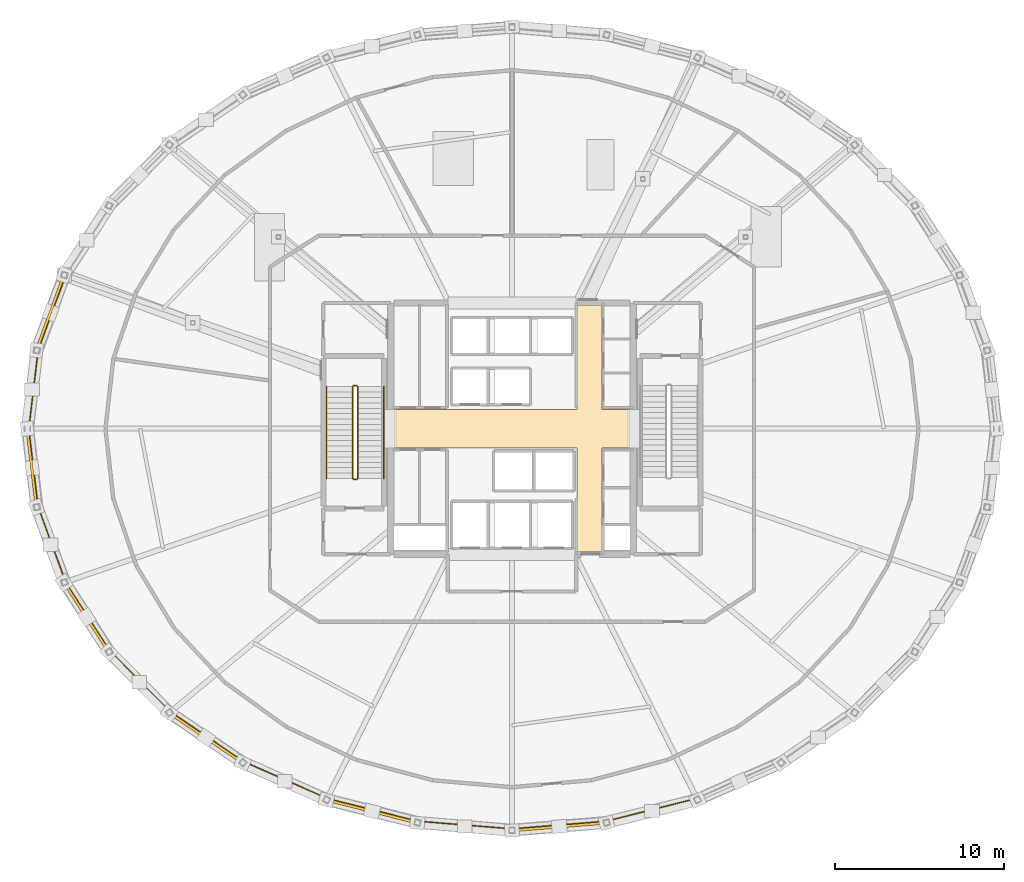
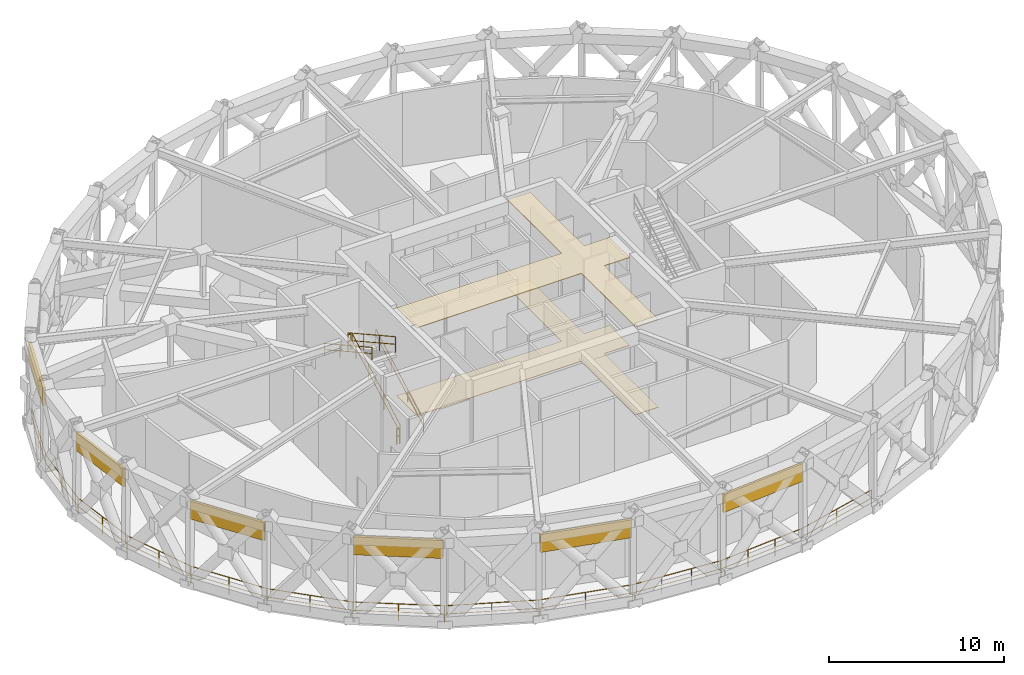
# One storey, part 12 of 15: 12 railings, 6 shading devices, 2 coverings.
"""IFC4 building model written with IfcOpenShell, lengths in metres."""

from ifc_helpers import new_model, si_unit, direction, frame, origin, origin_2d, place, context, subcontext, project, spatial, polyline, rectangle, circle, outline, extrude, material, layer, layer_set, type_object, element, save


model = new_model("IFC4")

# Units and contexts
model_context = context("Model", 3, precision=1e-05, world=origin(), true_north=direction((0.0, 1.0)))
body_context = subcontext(model_context, "Body", "Model", "MODEL_VIEW")
ifc_project = project(units=[si_unit("LENGTHUNIT", "METRE"), si_unit("AREAUNIT", "SQUARE_METRE"), si_unit("VOLUMEUNIT", "CUBIC_METRE"), si_unit("PLANEANGLEUNIT", "RADIAN"), si_unit("MASSUNIT", "GRAM", prefix="KILO")], contexts=[model_context])

# Site, building, storey
site_placement = place(None, origin())
site = spatial("IfcSite", under=ifc_project, at=site_placement, CompositionType="ELEMENT")
building_placement = place(site_placement, origin())
building = spatial("IfcBuilding", under=site, at=building_placement, Name="Veldorina Hangang Commons", CompositionType="ELEMENT")
storey_placement = place(building_placement, frame((0.0, 0.0, 110.800048828125)))
storey = spatial("IfcBuildingStorey", under=building, at=storey_placement, Name="L28", CompositionType="ELEMENT", Elevation=110.800048828125)

# Coverings
ifc_material_1 = material(Name="Mineral Fibre Acoustic Tile", Category="gypsum")
ifc_layer_1 = layer(ifc_material_1, 0.0400390625)
ifc_layer_set_1 = layer_set([ifc_layer_1], Name="Mineral Fibre Acoustic Tile")
covering_type_1 = type_object("IfcCoveringType", Name="COV-CEIL-AC60", PredefinedType="CEILING", material=ifc_layer_set_1)
covering_1_placement = place(storey_placement, frame((0.0, 0.0, 6.10986328125)))
element("IfcCovering", 1, at=covering_1_placement, inside=storey, type_object=covering_type_1, Name="L28 lobby suspended acoustic ceiling", PredefinedType="CEILING", context=body_context, shape_type="SweptSolid", body=[
    extrude(outline(polyline([(25.0, 22.85009765625), (35.85009765625, 22.85009765625), (35.85009765625, 16.699951171875), (37.35009765625, 16.699951171875), (37.35009765625, 22.85009765625), (39.0, 22.85009765625), (39.0, 25.14990234375), (37.35009765625, 25.14990234375), (37.35009765625, 31.300048828125), (35.85009765625, 31.300048828125), (35.85009765625, 25.14990234375), (25.0, 25.14990234375), (25.0, 22.85009765625)])), origin(), (0.0, 0.0, 1.0), 0.0400390625),
])
ifc_material_2 = material(Name="Stone Venetian Terrazzo", Category="masonry")
ifc_layer_2 = layer(ifc_material_2, 0.030029296875)
ifc_layer_set_2 = layer_set([ifc_layer_2], Name="Stone Venetian Terrazzo")
covering_type_2 = type_object("IfcCoveringType", Name="COV-FLR-TERZ", PredefinedType="FLOORING", material=ifc_layer_set_2)
covering_2_placement = place(storey_placement, origin())
element("IfcCovering", 2, at=covering_2_placement, inside=storey, type_object=covering_type_2, Name="L28 lobby terrazzo floor finish", PredefinedType="FLOORING", context=body_context, shape_type="SweptSolid", body=[
    extrude(outline(polyline([(25.0, 22.85009765625), (35.85009765625, 22.85009765625), (35.85009765625, 16.699951171875), (37.35009765625, 16.699951171875), (37.35009765625, 22.85009765625), (39.0, 22.85009765625), (39.0, 25.14990234375), (37.35009765625, 25.14990234375), (37.35009765625, 31.300048828125), (35.85009765625, 31.300048828125), (35.85009765625, 25.14990234375), (25.0, 25.14990234375), (25.0, 22.85009765625)])), origin(), (0.0, 0.0, 1.0), 0.030029296875),
])

# Shading devices
ifc_material_3 = material(Name="Bronze Perforated Anodized", Category="metal")
ifc_layer_3 = layer(ifc_material_3, 0.159912109375)
ifc_layer_set_3 = layer_set([ifc_layer_3], Name="Bronze Perforated Anodized")
shading_device_type = type_object("IfcShadingDeviceType", Name="LVR-WND-4800", PredefinedType="JALOUSIE", material=ifc_layer_set_3)
shading_device_1_placement = place(storey_placement, frame((4.625, 30.8818359375, 4.5849609375), z_axis=(0.0, 0.0, 1.0), x_axis=(-0.343758034421, -0.939058258987, 0.0)))
element("IfcShadingDevice", 3, at=shading_device_1_placement, inside=storey, type_object=shading_device_type, Name="L28 open wind-floor high storm louvre 14", PredefinedType="JALOUSIE", context=body_context, shape_type="SweptSolid", body=[
    extrude(rectangle(XDim=4.638671875, YDim=0.159912109375, at=origin_2d()), origin(), (0.0, 0.0, 1.0), 1.25),
])
shading_device_2_placement = place(storey_placement, frame((3.531005859375, 21.67626953125, 4.5849609375), z_axis=(0.0, 0.0, 1.0), x_axis=(0.118005356875, -0.9930129585, 0.0)))
element("IfcShadingDevice", 4, at=shading_device_2_placement, inside=storey, type_object=shading_device_type, Name="L28 open wind-floor high storm louvre 16", PredefinedType="JALOUSIE", context=body_context, shape_type="SweptSolid", body=[
    extrude(rectangle(XDim=4.56005859375, YDim=0.159912109375, at=origin_2d()), origin(), (0.0, 0.0, 1.0), 1.25),
])
shading_device_3_placement = place(storey_placement, frame((6.77099609375, 12.82470703125, 4.5849609375), z_axis=(0.0, 0.0, 1.0), x_axis=(0.542016257641, -0.840368000612, 0.0)))
element("IfcShadingDevice", 5, at=shading_device_3_placement, inside=storey, type_object=shading_device_type, Name="L28 open wind-floor high storm louvre 18", PredefinedType="JALOUSIE", context=body_context, shape_type="SweptSolid", body=[
    extrude(rectangle(XDim=4.78076171875, YDim=0.159912109375, at=origin_2d()), origin(), (0.0, 0.0, 1.0), 1.25),
])
shading_device_4_placement = place(storey_placement, frame((13.85205078125, 5.67431640625, 4.5849609375), z_axis=(0.0, 0.0, 1.0), x_axis=(0.826884319778, -0.562372049186, 0.0)))
element("IfcShadingDevice", 6, at=shading_device_4_placement, inside=storey, type_object=shading_device_type, Name="L28 open wind-floor high storm louvre 20", PredefinedType="JALOUSIE", context=body_context, shape_type="SweptSolid", body=[
    extrude(rectangle(XDim=5.14794921875, YDim=0.159912109375, at=origin_2d()), origin(), (0.0, 0.0, 1.0), 1.25),
])
shading_device_5_placement = place(storey_placement, frame((23.69580078125, 1.31396484375, 4.5849609375), z_axis=(0.0, 0.0, 1.0), x_axis=(0.969825226686, -0.243801209355, 0.0)))
element("IfcShadingDevice", 7, at=shading_device_5_placement, inside=storey, type_object=shading_device_type, Name="L28 open wind-floor high storm louvre 22", PredefinedType="JALOUSIE", context=body_context, shape_type="SweptSolid", body=[
    extrude(rectangle(XDim=5.440185546875, YDim=0.159912109375, at=origin_2d()), origin(), (0.0, 0.0, 1.0), 1.25),
])
shading_device_6_placement = place(storey_placement, frame((34.803955078125, 0.4072265625, 4.5849609375), z_axis=(0.0, 0.0, 1.0), x_axis=(0.996685834628, 0.081347077707, 0.0)))
element("IfcShadingDevice", 8, at=shading_device_6_placement, inside=storey, type_object=shading_device_type, Name="L28 open wind-floor high storm louvre 24", PredefinedType="JALOUSIE", context=body_context, shape_type="SweptSolid", body=[
    extrude(rectangle(XDim=5.506591796875, YDim=0.159912109375, at=origin_2d()), origin(), (0.0, 0.0, 1.0), 1.25),
])

# Railings
ifc_material_4 = material(Name="Steel Painted Balustrade", Category="steel")
railing_type_1 = type_object("IfcRailingType", Name="RL-GRD-STAIR", PredefinedType="GUARDRAIL", material=ifc_material_4)
railing_1_placement = place(storey_placement, frame((22.85009765625, 21.050048828125, 0.177734375)))
element("IfcRailing", 9, at=railing_1_placement, inside=storey, type_object=railing_type_1, Name="L28 ST-1 stair guard 1", PredefinedType="GUARDRAIL", context=body_context, shape_type="SweptSolid", body=[
    extrude(circle(Radius=0.02392578125, at=origin_2d()), frame((0.0, 0.0, 1.076171875), z_axis=(0.0, 0.874155425575, 0.485646262148), x_axis=(-1.0, 0.0, 0.0)), (0.0, 0.0, 1.0), 6.22314453125),
    extrude(circle(Radius=0.02392578125, at=origin_2d()), frame((0.0, 0.0, 0.550048828125), z_axis=(0.0, 0.874155425575, 0.485646262148), x_axis=(-1.0, 0.0, 0.0)), (0.0, 0.0, 1.0), 6.22314453125),
    extrude(circle(Radius=0.02099609375, at=origin_2d()), origin(), (0.0, 0.0, 1.0), 1.052001953125),
    extrude(circle(Radius=0.02099609375, at=origin_2d()), frame((0.0, 1.813232421875, 1.00732421875)), (0.0, 0.0, 1.0), 1.052001953125),
    extrude(circle(Radius=0.02099609375, at=origin_2d()), frame((0.0, 3.626708984375, 2.014892578125)), (0.0, 0.0, 1.0), 1.052001953125),
    extrude(circle(Radius=0.02099609375, at=origin_2d()), frame((0.0, 5.43994140625, 3.022216796875)), (0.0, 0.0, 1.0), 1.052001953125),
])
railing_2_placement = place(storey_placement, frame((22.800048828125, 26.5400390625, 3.199951171875)))
element("IfcRailing", 10, at=railing_2_placement, inside=storey, type_object=railing_type_1, Name="L28 ST-1 stair guard 2", PredefinedType="GUARDRAIL", context=body_context, shape_type="SweptSolid", body=[
    extrude(circle(Radius=0.02392578125, at=origin_2d()), frame((0.0, 0.0, 1.076171875), z_axis=(-1.0, 0.0, 0.0), x_axis=(0.0, -1.0, 0.0)), (0.0, 0.0, 1.0), 0.199951171875),
    extrude(circle(Radius=0.02392578125, at=origin_2d()), frame((0.0, 0.0, 0.550048828125), z_axis=(-1.0, 0.0, 0.0), x_axis=(0.0, -1.0, 0.0)), (0.0, 0.0, 1.0), 0.199951171875),
    extrude(circle(Radius=0.02099609375, at=origin_2d()), origin(), (0.0, 0.0, 1.0), 1.052001953125),
    extrude(circle(Radius=0.02099609375, at=origin_2d()), frame((-0.199951171875, 0.0, 0.0)), (0.0, 0.0, 1.0), 1.052001953125),
])
railing_3_placement = place(storey_placement, frame((22.550048828125, 26.489990234375, 3.377685546875)))
element("IfcRailing", 11, at=railing_3_placement, inside=storey, type_object=railing_type_1, Name="L28 ST-1 stair guard 3", PredefinedType="GUARDRAIL", context=body_context, shape_type="SweptSolid", body=[
    extrude(circle(Radius=0.02392578125, at=origin_2d()), frame((0.0, 0.0, 1.076171875), z_axis=(0.0, -0.874155425575, 0.485646262148), x_axis=(1.0, 0.0, 0.0)), (0.0, 0.0, 1.0), 6.22314453125),
    extrude(circle(Radius=0.02392578125, at=origin_2d()), frame((0.0, 0.0, 0.550048828125), z_axis=(0.0, -0.874155425575, 0.485646262148), x_axis=(1.0, 0.0, 0.0)), (0.0, 0.0, 1.0), 6.22314453125),
    extrude(circle(Radius=0.02099609375, at=origin_2d()), origin(), (0.0, 0.0, 1.0), 1.052001953125),
    extrude(circle(Radius=0.02099609375, at=origin_2d()), frame((0.0, -1.813232421875, 1.00732421875)), (0.0, 0.0, 1.0), 1.052001953125),
    extrude(circle(Radius=0.02099609375, at=origin_2d()), frame((0.0, -3.626708984375, 2.014892578125)), (0.0, 0.0, 1.0), 1.052001953125),
    extrude(circle(Radius=0.02099609375, at=origin_2d()), frame((0.0, -5.43994140625, 3.022216796875)), (0.0, 0.0, 1.0), 1.052001953125),
])
railing_4_placement = place(storey_placement, frame((22.800048828125, 21.0, 0.0)))
element("IfcRailing", 12, at=railing_4_placement, inside=storey, type_object=railing_type_1, Name="L28 ST-1 stair guard 4", PredefinedType="GUARDRAIL", context=body_context, shape_type="SweptSolid", body=[
    extrude(circle(Radius=0.02392578125, at=origin_2d()), frame((0.0, 0.0, 1.076171875), z_axis=(-1.0, 0.0, 0.0), x_axis=(0.0, -1.0, 0.0)), (0.0, 0.0, 1.0), 0.199951171875),
    extrude(circle(Radius=0.02392578125, at=origin_2d()), frame((0.0, 0.0, 0.550048828125), z_axis=(-1.0, 0.0, 0.0), x_axis=(0.0, -1.0, 0.0)), (0.0, 0.0, 1.0), 0.199951171875),
    extrude(circle(Radius=0.02099609375, at=origin_2d()), origin(), (0.0, 0.0, 1.0), 1.052001953125),
    extrude(circle(Radius=0.02099609375, at=origin_2d()), frame((-0.199951171875, 0.0, 0.0)), (0.0, 0.0, 1.0), 1.052001953125),
])
ifc_material_5 = material(Name="Stainless Steel Brushed 316", Category="steel")
railing_type_2 = type_object("IfcRailingType", Name="RL-GRD-WIND", PredefinedType="GUARDRAIL", material=ifc_material_5)
railing_5_placement = place(storey_placement, frame((5.53759765625, 33.08349609375, 0.0)))
element("IfcRailing", 13, at=railing_5_placement, inside=storey, type_object=railing_type_2, Name="L28 wind gallery perimeter safety guard 08", PredefinedType="GUARDRAIL", context=body_context, shape_type="SweptSolid", body=[
    extrude(circle(Radius=0.02392578125, at=origin_2d()), frame((0.0, 0.0, 1.17578125), z_axis=(-0.344123034813, -0.938924564015, 0.0), x_axis=(0.938924564015, -0.344123034813, 0.0)), (0.0, 0.0, 1.0), 4.741943359375),
    extrude(circle(Radius=0.02392578125, at=origin_2d()), frame((0.0, 0.0, 0.60009765625), z_axis=(-0.344123034813, -0.938924564015, 0.0), x_axis=(0.938924564015, -0.344123034813, 0.0)), (0.0, 0.0, 1.0), 4.741943359375),
    extrude(circle(Radius=0.02392578125, at=origin_2d()), frame((-1.6318359375, -4.452392578125, 1.17578125), z_axis=(-0.118150211991, -0.992995733831, 0.0), x_axis=(0.992995733831, -0.118150211991, 0.0)), (0.0, 0.0, 1.0), 4.663818359375),
    extrude(circle(Radius=0.02392578125, at=origin_2d()), frame((-1.6318359375, -4.452392578125, 0.60009765625), z_axis=(-0.118150211991, -0.992995733831, 0.0), x_axis=(0.992995733831, -0.118150211991, 0.0)), (0.0, 0.0, 1.0), 4.663818359375),
    extrude(circle(Radius=0.02099609375, at=origin_2d()), origin(), (0.0, 0.0, 1.0), 1.15185546875),
    extrude(circle(Radius=0.02099609375, at=origin_2d()), frame((-0.81591796875, -2.22607421875, 0.0)), (0.0, 0.0, 1.0), 1.15185546875),
    extrude(circle(Radius=0.02099609375, at=origin_2d()), frame((-1.6318359375, -4.452392578125, 0.0)), (0.0, 0.0, 1.0), 1.15185546875),
    extrude(circle(Radius=0.02099609375, at=origin_2d()), frame((-1.9072265625, -6.76806640625, 0.0)), (0.0, 0.0, 1.0), 1.15185546875),
    extrude(circle(Radius=0.02099609375, at=origin_2d()), frame((-2.182861328125, -9.08349609375, 0.0)), (0.0, 0.0, 1.0), 1.15185546875),
])
railing_6_placement = place(storey_placement, frame((3.354736328125, 24.0, 0.0)))
element("IfcRailing", 14, at=railing_6_placement, inside=storey, type_object=railing_type_2, Name="L28 wind gallery perimeter safety guard 09", PredefinedType="GUARDRAIL", context=body_context, shape_type="SweptSolid", body=[
    extrude(circle(Radius=0.02392578125, at=origin_2d()), frame((0.0, 0.0, 1.17578125), z_axis=(0.118150211991, -0.992995733831, 0.0), x_axis=(0.992995733831, 0.118150211991, 0.0)), (0.0, 0.0, 1.0), 4.663818359375),
    extrude(circle(Radius=0.02392578125, at=origin_2d()), frame((0.0, 0.0, 0.60009765625), z_axis=(0.118150211991, -0.992995733831, 0.0), x_axis=(0.992995733831, 0.118150211991, 0.0)), (0.0, 0.0, 1.0), 4.663818359375),
    extrude(circle(Radius=0.02392578125, at=origin_2d()), frame((0.551025390625, -4.631103515625, 1.17578125), z_axis=(0.344123034813, -0.938924564015, 0.0), x_axis=(0.938924564015, 0.344123034813, 0.0)), (0.0, 0.0, 1.0), 4.741943359375),
    extrude(circle(Radius=0.02392578125, at=origin_2d()), frame((0.551025390625, -4.631103515625, 0.60009765625), z_axis=(0.344123034813, -0.938924564015, 0.0), x_axis=(0.938924564015, 0.344123034813, 0.0)), (0.0, 0.0, 1.0), 4.741943359375),
    extrude(circle(Radius=0.02099609375, at=origin_2d()), origin(), (0.0, 0.0, 1.0), 1.15185546875),
    extrude(circle(Radius=0.02099609375, at=origin_2d()), frame((0.275390625, -2.3154296875, 0.0)), (0.0, 0.0, 1.0), 1.15185546875),
    extrude(circle(Radius=0.02099609375, at=origin_2d()), frame((0.551025390625, -4.631103515625, 0.0)), (0.0, 0.0, 1.0), 1.15185546875),
    extrude(circle(Radius=0.02099609375, at=origin_2d()), frame((1.366943359375, -6.857421875, 0.0)), (0.0, 0.0, 1.0), 1.15185546875),
    extrude(circle(Radius=0.02099609375, at=origin_2d()), frame((2.182861328125, -9.08349609375, 0.0)), (0.0, 0.0, 1.0), 1.15185546875),
])
railing_7_placement = place(storey_placement, frame((5.53759765625, 14.91650390625, 0.0)))
element("IfcRailing", 15, at=railing_7_placement, inside=storey, type_object=railing_type_2, Name="L28 wind gallery perimeter safety guard 10", PredefinedType="GUARDRAIL", context=body_context, shape_type="SweptSolid", body=[
    extrude(circle(Radius=0.02392578125, at=origin_2d()), frame((0.0, 0.0, 1.17578125), z_axis=(0.542446791687, -0.84009016075, 0.0), x_axis=(0.84009016075, 0.542446791687, 0.0)), (0.0, 0.0, 1.0), 4.8837890625),
    extrude(circle(Radius=0.02392578125, at=origin_2d()), frame((0.0, 0.0, 0.60009765625), z_axis=(0.542446791687, -0.84009016075, 0.0), x_axis=(0.84009016075, 0.542446791687, 0.0)), (0.0, 0.0, 1.0), 4.8837890625),
    extrude(circle(Radius=0.02392578125, at=origin_2d()), frame((2.649169921875, -4.102783203125, 1.17578125), z_axis=(0.704158628133, -0.710042693382, 0.0), x_axis=(0.710042693382, 0.704158628133, 0.0)), (0.0, 0.0, 1.0), 5.06201171875),
    extrude(circle(Radius=0.02392578125, at=origin_2d()), frame((2.649169921875, -4.102783203125, 0.60009765625), z_axis=(0.704158628133, -0.710042693382, 0.0), x_axis=(0.710042693382, 0.704158628133, 0.0)), (0.0, 0.0, 1.0), 5.06201171875),
    extrude(circle(Radius=0.02099609375, at=origin_2d()), origin(), (0.0, 0.0, 1.0), 1.15185546875),
    extrude(circle(Radius=0.02099609375, at=origin_2d()), frame((1.32470703125, -2.05126953125, 0.0)), (0.0, 0.0, 1.0), 1.15185546875),
    extrude(circle(Radius=0.02099609375, at=origin_2d()), frame((2.649169921875, -4.102783203125, 0.0)), (0.0, 0.0, 1.0), 1.15185546875),
    extrude(circle(Radius=0.02099609375, at=origin_2d()), frame((4.431396484375, -5.89990234375, 0.0)), (0.0, 0.0, 1.0), 1.15185546875),
    extrude(circle(Radius=0.02099609375, at=origin_2d()), frame((6.213623046875, -7.697021484375, 0.0)), (0.0, 0.0, 1.0), 1.15185546875),
])
railing_8_placement = place(storey_placement, frame((11.751220703125, 7.219482421875, 0.0)))
element("IfcRailing", 16, at=railing_8_placement, inside=storey, type_object=railing_type_2, Name="L28 wind gallery perimeter safety guard 11", PredefinedType="GUARDRAIL", context=body_context, shape_type="SweptSolid", body=[
    extrude(circle(Radius=0.02392578125, at=origin_2d()), frame((0.0, 0.0, 1.17578125), z_axis=(0.827260341396, -0.561818767533, 0.0), x_axis=(0.561818767533, 0.827260341396, 0.0)), (0.0, 0.0, 1.0), 5.248046875),
    extrude(circle(Radius=0.02392578125, at=origin_2d()), frame((0.0, 0.0, 0.60009765625), z_axis=(0.827260341396, -0.561818767533, 0.0), x_axis=(0.561818767533, 0.827260341396, 0.0)), (0.0, 0.0, 1.0), 5.248046875),
    extrude(circle(Radius=0.02392578125, at=origin_2d()), frame((4.341552734375, -2.948486328125, 1.17578125), z_axis=(0.914550093423, -0.4044726525, 0.0), x_axis=(0.4044726525, 0.914550093423, 0.0)), (0.0, 0.0, 1.0), 5.414306640625),
    extrude(circle(Radius=0.02392578125, at=origin_2d()), frame((4.341552734375, -2.948486328125, 0.60009765625), z_axis=(0.914550093423, -0.4044726525, 0.0), x_axis=(0.4044726525, 0.914550093423, 0.0)), (0.0, 0.0, 1.0), 5.414306640625),
    extrude(circle(Radius=0.02099609375, at=origin_2d()), origin(), (0.0, 0.0, 1.0), 1.15185546875),
    extrude(circle(Radius=0.02099609375, at=origin_2d()), frame((2.1708984375, -1.47412109375, 0.0)), (0.0, 0.0, 1.0), 1.15185546875),
    extrude(circle(Radius=0.02099609375, at=origin_2d()), frame((4.341552734375, -2.948486328125, 0.0)), (0.0, 0.0, 1.0), 1.15185546875),
    extrude(circle(Radius=0.02099609375, at=origin_2d()), frame((6.8173828125, -4.04345703125, 0.0)), (0.0, 0.0, 1.0), 1.15185546875),
    extrude(circle(Radius=0.02099609375, at=origin_2d()), frame((9.293212890625, -5.138427734375, 0.0)), (0.0, 0.0, 1.0), 1.15185546875),
])
railing_9_placement = place(storey_placement, frame((21.04443359375, 2.0810546875, 0.0)))
element("IfcRailing", 17, at=railing_9_placement, inside=storey, type_object=railing_type_2, Name="L28 wind gallery perimeter safety guard 12", PredefinedType="GUARDRAIL", context=body_context, shape_type="SweptSolid", body=[
    extrude(circle(Radius=0.02392578125, at=origin_2d()), frame((0.0, 0.0, 1.17578125), z_axis=(0.969932061179, -0.243375834252, 0.0), x_axis=(0.243375834252, 0.969932061179, 0.0)), (0.0, 0.0, 1.0), 5.537353515625),
    extrude(circle(Radius=0.02392578125, at=origin_2d()), frame((0.0, 0.0, 0.60009765625), z_axis=(0.969932061179, -0.243375834252, 0.0), x_axis=(0.243375834252, 0.969932061179, 0.0)), (0.0, 0.0, 1.0), 5.537353515625),
    extrude(circle(Radius=0.02392578125, at=origin_2d()), frame((5.370849609375, -1.34765625, 1.17578125), z_axis=(0.996696431053, -0.081217143059, 0.0), x_axis=(0.081217143059, 0.996696431053, 0.0)), (0.0, 0.0, 1.0), 5.603271484375),
    extrude(circle(Radius=0.02392578125, at=origin_2d()), frame((5.370849609375, -1.34765625, 0.60009765625), z_axis=(0.996696431053, -0.081217143059, 0.0), x_axis=(0.081217143059, 0.996696431053, 0.0)), (0.0, 0.0, 1.0), 5.603271484375),
    extrude(circle(Radius=0.02099609375, at=origin_2d()), origin(), (0.0, 0.0, 1.0), 1.15185546875),
    extrude(circle(Radius=0.02099609375, at=origin_2d()), frame((2.685546875, -0.673828125, 0.0)), (0.0, 0.0, 1.0), 1.15185546875),
    extrude(circle(Radius=0.02099609375, at=origin_2d()), frame((5.370849609375, -1.34765625, 0.0)), (0.0, 0.0, 1.0), 1.15185546875),
    extrude(circle(Radius=0.02099609375, at=origin_2d()), frame((7.232421875, -1.499267578125, 0.0)), (0.0, 0.0, 1.0), 1.15185546875),
    extrude(circle(Radius=0.02099609375, at=origin_2d()), frame((9.093994140625, -1.651123046875, 0.0)), (0.0, 0.0, 1.0), 1.15185546875),
    extrude(circle(Radius=0.02099609375, at=origin_2d()), frame((10.95556640625, -1.802734375, 0.0)), (0.0, 0.0, 1.0), 1.15185546875),
])
railing_10_placement = place(storey_placement, frame((32.0, 0.2783203125, 0.0)))
element("IfcRailing", 18, at=railing_10_placement, inside=storey, type_object=railing_type_2, Name="L28 wind gallery perimeter safety guard 13", PredefinedType="GUARDRAIL", context=body_context, shape_type="SweptSolid", body=[
    extrude(circle(Radius=0.02392578125, at=origin_2d()), frame((0.0, 0.0, 1.17578125), z_axis=(0.996696431053, 0.081217143059, 0.0), x_axis=(-0.081217143059, 0.996696431053, 0.0)), (0.0, 0.0, 1.0), 5.603271484375),
    extrude(circle(Radius=0.02392578125, at=origin_2d()), frame((0.0, 0.0, 0.60009765625), z_axis=(0.996696431053, 0.081217143059, 0.0), x_axis=(-0.081217143059, 0.996696431053, 0.0)), (0.0, 0.0, 1.0), 5.603271484375),
    extrude(circle(Radius=0.02392578125, at=origin_2d()), frame((5.584716796875, 0.455078125, 1.17578125), z_axis=(0.969932061179, 0.243375834252, 0.0), x_axis=(-0.243375834252, 0.969932061179, 0.0)), (0.0, 0.0, 1.0), 5.537353515625),
    extrude(circle(Radius=0.02392578125, at=origin_2d()), frame((5.584716796875, 0.455078125, 0.60009765625), z_axis=(0.969932061179, 0.243375834252, 0.0), x_axis=(-0.243375834252, 0.969932061179, 0.0)), (0.0, 0.0, 1.0), 5.537353515625),
    extrude(circle(Radius=0.02099609375, at=origin_2d()), origin(), (0.0, 0.0, 1.0), 1.15185546875),
    extrude(circle(Radius=0.02099609375, at=origin_2d()), frame((1.861572265625, 0.151611328125, 0.0)), (0.0, 0.0, 1.0), 1.15185546875),
    extrude(circle(Radius=0.02099609375, at=origin_2d()), frame((3.72314453125, 0.303466796875, 0.0)), (0.0, 0.0, 1.0), 1.15185546875),
    extrude(circle(Radius=0.02099609375, at=origin_2d()), frame((5.584716796875, 0.455078125, 0.0)), (0.0, 0.0, 1.0), 1.15185546875),
    extrude(circle(Radius=0.02099609375, at=origin_2d()), frame((8.27001953125, 1.12890625, 0.0)), (0.0, 0.0, 1.0), 1.15185546875),
    extrude(circle(Radius=0.02099609375, at=origin_2d()), frame((10.95556640625, 1.802734375, 0.0)), (0.0, 0.0, 1.0), 1.15185546875),
])
railing_type_3 = type_object("IfcRailingType", Name="RL-HND-STAIR", PredefinedType="HANDRAIL", material=ifc_material_5)
railing_11_placement = place(storey_placement, frame((24.39990234375, 21.050048828125, 0.177734375)))
element("IfcRailing", 19, at=railing_11_placement, inside=storey, type_object=railing_type_3, Name="L28 ST-1 stair handrail 1", PredefinedType="HANDRAIL", context=body_context, shape_type="SweptSolid", body=[
    extrude(circle(Radius=0.02392578125, at=origin_2d()), frame((0.0, 0.0, 0.8759765625), z_axis=(0.0, 0.874155425575, 0.485646262148), x_axis=(-1.0, 0.0, 0.0)), (0.0, 0.0, 1.0), 6.22314453125),
    extrude(circle(Radius=0.02392578125, at=origin_2d()), frame((0.0, 0.0, 0.449951171875), z_axis=(0.0, 0.874155425575, 0.485646262148), x_axis=(-1.0, 0.0, 0.0)), (0.0, 0.0, 1.0), 6.22314453125),
    extrude(circle(Radius=0.02099609375, at=origin_2d()), origin(), (0.0, 0.0, 1.0), 0.851806640625),
    extrude(circle(Radius=0.02099609375, at=origin_2d()), frame((0.0, 1.813232421875, 1.00732421875)), (0.0, 0.0, 1.0), 0.851806640625),
    extrude(circle(Radius=0.02099609375, at=origin_2d()), frame((0.0, 3.626708984375, 2.014892578125)), (0.0, 0.0, 1.0), 0.851806640625),
    extrude(circle(Radius=0.02099609375, at=origin_2d()), frame((0.0, 5.43994140625, 3.022216796875)), (0.0, 0.0, 1.0), 0.851806640625),
])
railing_12_placement = place(storey_placement, frame((21.0, 26.489990234375, 3.377685546875)))
element("IfcRailing", 20, at=railing_12_placement, inside=storey, type_object=railing_type_3, Name="L28 ST-1 stair handrail 2", PredefinedType="HANDRAIL", context=body_context, shape_type="SweptSolid", body=[
    extrude(circle(Radius=0.02392578125, at=origin_2d()), frame((0.0, 0.0, 0.8759765625), z_axis=(0.0, -0.874155425575, 0.485646262148), x_axis=(1.0, 0.0, 0.0)), (0.0, 0.0, 1.0), 6.22314453125),
    extrude(circle(Radius=0.02392578125, at=origin_2d()), frame((0.0, 0.0, 0.449951171875), z_axis=(0.0, -0.874155425575, 0.485646262148), x_axis=(1.0, 0.0, 0.0)), (0.0, 0.0, 1.0), 6.22314453125),
    extrude(circle(Radius=0.02099609375, at=origin_2d()), origin(), (0.0, 0.0, 1.0), 0.851806640625),
    extrude(circle(Radius=0.02099609375, at=origin_2d()), frame((0.0, -1.813232421875, 1.00732421875)), (0.0, 0.0, 1.0), 0.851806640625),
    extrude(circle(Radius=0.02099609375, at=origin_2d()), frame((0.0, -3.626708984375, 2.014892578125)), (0.0, 0.0, 1.0), 0.851806640625),
    extrude(circle(Radius=0.02099609375, at=origin_2d()), frame((0.0, -5.43994140625, 3.022216796875)), (0.0, 0.0, 1.0), 0.851806640625),
])

save(model, "model.ifc")
